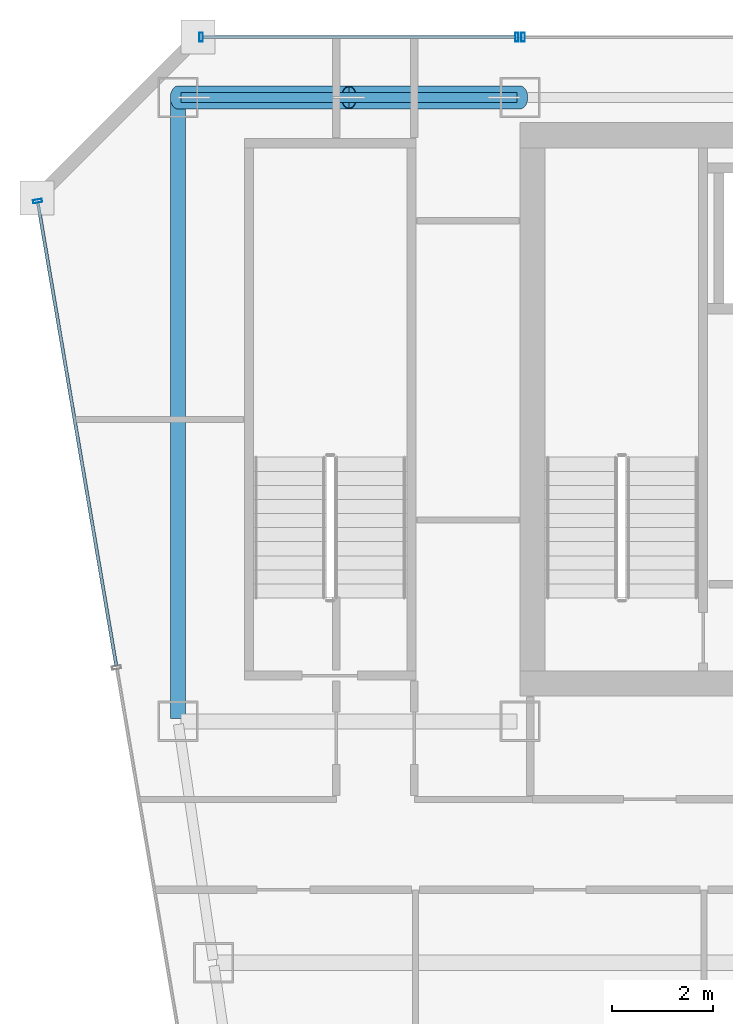
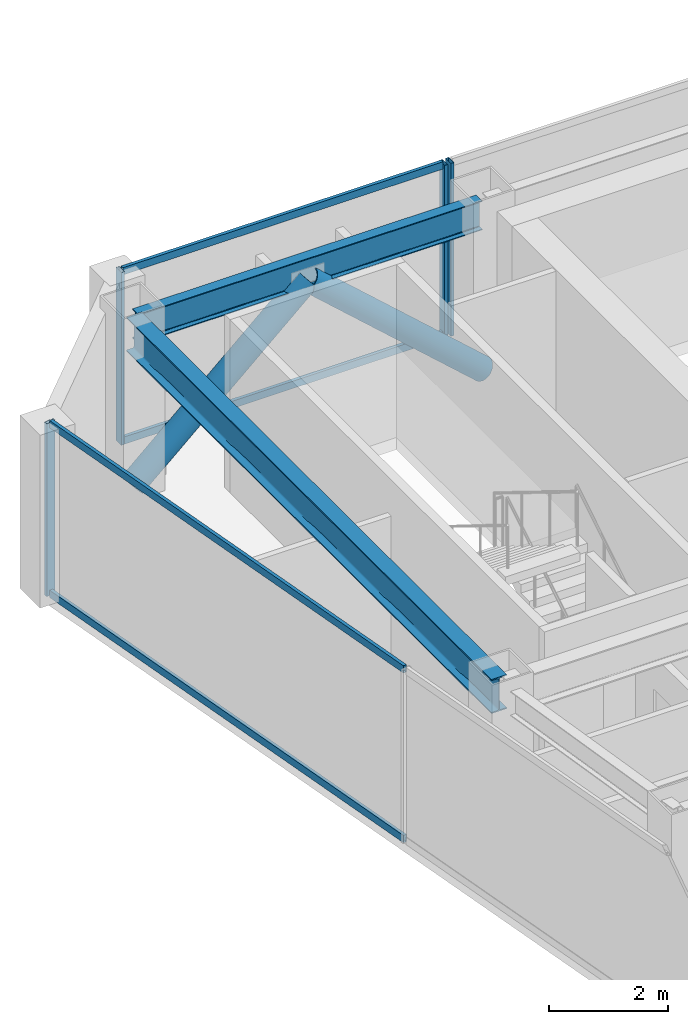
# One storey, part 23 of 36: 10 members, 2 beams, 3 elements without a shape of their own.
"""IFC4 building model written with IfcOpenShell, lengths in metres."""

from ifc_helpers import new_model, si_unit, direction, frame, origin, origin_2d, place, context, subcontext, project, spatial, hollow_rectangle, hollow_circle, i_section, extrude, material, material_profile, profile_set, type_object, element, aggregate, save


model = new_model("IFC4")

# Units and contexts
model_context = context("Model", 3, precision=1e-05, world=origin(), true_north=direction((0.0, 1.0)))
body_context = subcontext(model_context, "Body", "Model", "MODEL_VIEW")
ifc_project = project(units=[si_unit("LENGTHUNIT", "METRE"), si_unit("AREAUNIT", "SQUARE_METRE"), si_unit("VOLUMEUNIT", "CUBIC_METRE"), si_unit("PLANEANGLEUNIT", "RADIAN"), si_unit("MASSUNIT", "GRAM", prefix="KILO")], contexts=[model_context])

# Site, building, storey
site_placement = place(None, origin())
site = spatial("IfcSite", under=ifc_project, at=site_placement, CompositionType="ELEMENT")
building_placement = place(site_placement, origin())
building = spatial("IfcBuilding", under=site, at=building_placement, Name="Saevonmaru Cultural Tower", CompositionType="ELEMENT")
storey_placement = place(building_placement, frame((0.0, 0.0, 209.39990234375)))
storey = spatial("IfcBuildingStorey", under=building, at=storey_placement, Name="L48", CompositionType="ELEMENT", Elevation=209.39990234375)

# Beams
ifc_material_1 = material(Name="Steel SM355", Category="steel")
ifc_material_profile_1 = material_profile(ifc_material_1, i_section(OverallWidth=0.300048828125, OverallDepth=0.699951171875, WebThickness=0.012939453125, FlangeThickness=0.02392578125, FilletRadius=0.02587890625, at=origin_2d()), Name="H-700x300x13x24")
ifc_profile_set_1 = profile_set([ifc_material_profile_1], Name="Steel SM355")
beam_type_1 = type_object("IfcBeamType", Name="BM-G-H700", PredefinedType="BEAM", material=ifc_profile_set_1)
beam_1_placement = place(storey_placement, frame((6.800048828125, 54.739990234375, 3.2001953125), z_axis=(0.0, -1.0, 0.0), x_axis=(1.0, 0.0, 0.0)))
element("IfcBeam", 1, at=beam_1_placement, inside=storey, type_object=beam_type_1, Name="L48 Spine Transverse Girder W", PredefinedType="BEAM", context=body_context, shape_type="SweptSolid", body=[
    extrude(i_section(OverallWidth=0.300048828125, OverallDepth=0.699951171875, WebThickness=0.012939453125, FlangeThickness=0.02392578125, FilletRadius=0.02587890625, at=origin_2d()), origin(), (0.0, 0.0, 1.0), 12.280029296875),
])
ifc_material_profile_2 = material_profile(ifc_material_1, i_section(OverallWidth=0.199951171875, OverallDepth=0.60009765625, WebThickness=0.010986328125, FlangeThickness=0.01708984375, FilletRadius=0.02197265625, at=origin_2d()), Name="H-600x200x11x17")
ifc_profile_set_2 = profile_set([ifc_material_profile_2], Name="Steel SM355")
beam_type_2 = type_object("IfcBeamType", Name="BM-SP-H600", PredefinedType="SPANDREL", material=ifc_profile_set_2)
beam_2_placement = place(storey_placement, frame((6.860107421875, 54.800048828125, 3.25), z_axis=(1.0, 0.0, 0.0), x_axis=(0.0, 1.0, 0.0)))
element("IfcBeam", 2, at=beam_2_placement, inside=storey, type_object=beam_type_2, Name="L48 North Spine Girder 1", PredefinedType="SPANDREL", context=body_context, shape_type="SweptSolid", body=[
    extrude(i_section(OverallWidth=0.199951171875, OverallDepth=0.60009765625, WebThickness=0.010986328125, FlangeThickness=0.01708984375, FilletRadius=0.02197265625, at=origin_2d()), origin(), (0.0, 0.0, 1.0), 6.679931640625),
])

# Members
ifc_material_2 = material(Name="Steel SM420", Category="steel")
ifc_material_profile_3 = material_profile(ifc_material_2, hollow_circle(Radius=0.228515625, WallThickness=0.02001953125, at=origin_2d()), Name="CHS-457.2x20")
ifc_profile_set_3 = profile_set([ifc_material_profile_3], Name="Steel SM420")
member_type_1 = type_object("IfcMemberType", Name="MB-PBR-CHS457", PredefinedType="BRACE", material=ifc_profile_set_3)
for number, where, z_axis, x_axis, name in (
    (3, (6.800048828125, 54.800048828125, 0.02001953125), (0.744366945704, 0.0, 0.667770806597), (0.0, 1.0, 0.0), "L48 Perimeter Braced-Tube Diagonal WN1"),
    (4, (13.60009765625, 54.800048828125, 0.02001953125), (-0.744390779303, 0.0, 0.66774423823), (0.0, -1.0, 0.0), "L48 Perimeter Braced-Tube Diagonal WN2"),
):
    element("IfcMember", number, at=place(storey_placement, frame(where, z_axis=z_axis, x_axis=x_axis)), inside=storey, type_object=member_type_1, Name=name, PredefinedType="BRACE", context=body_context, shape_type="SweptSolid", body=[
        extrude(hollow_circle(Radius=0.228515625, WallThickness=0.02001953125, at=origin_2d()), origin(), (0.0, 0.0, 1.0), 4.567626953125),
    ])

# Curtain wall, member
ifc_material_3 = material(Name="Satin Bronze Anodised Aluminium", Category="aluminium")
curtain_wall_type = type_object("IfcCurtainWallType", Name="CW-TYP-B", PredefinedType="NOTDEFINED", material=ifc_material_3)
curtain_wall_1_placement = place(storey_placement, origin())
curtain_wall_1 = element("IfcCurtainWall", 5, at=curtain_wall_1_placement, inside=storey, type_object=curtain_wall_type, Name="L48 North Spine Unitised Curtain Wall E10B", PredefinedType="NOTDEFINED")
ifc_material_profile_4 = material_profile(ifc_material_3, hollow_rectangle(XDim=0.06494140625, YDim=0.179931640625, WallThickness=0.00390625, at=origin_2d()), Name="ALU-MULL-180x65x4")
ifc_profile_set_4 = profile_set([ifc_material_profile_4], Name="Satin Bronze Anodised Aluminium")
member_type_2 = type_object("IfcMemberType", Name="ML-CW-180x65", PredefinedType="MULLION", material=ifc_profile_set_4)
member_1_placement = place(storey_placement, frame((13.659912109375, 56.0, 0.0), z_axis=(0.0, 0.0, 1.0), x_axis=(-1.0, 0.0, 0.0)))
member_1 = element("IfcMember", 6, at=member_1_placement, type_object=member_type_2, Name="CW-TW-L48-E10B mullion 4", PredefinedType="MULLION", context=body_context, shape_type="SweptSolid", body=[
    extrude(hollow_rectangle(XDim=0.06494140625, YDim=0.179931640625, WallThickness=0.00390625, at=origin_2d()), origin(), (0.0, 0.0, 1.0), 3.550048828125),
])
aggregate(curtain_wall_1, [member_1])

# Curtain wall, members
curtain_wall_2_placement = place(storey_placement, origin())
curtain_wall_2 = element("IfcCurtainWall", 7, at=curtain_wall_2_placement, inside=storey, type_object=curtain_wall_type, Name="L48 West Braced Bay Spandrel Curtain Wall E10C", PredefinedType="NOTDEFINED")
member_2_placement = place(storey_placement, frame((13.5400390625, 56.0, 0.0), z_axis=(0.0, 0.0, 1.0), x_axis=(-1.0, 0.0, 0.0)))
member_2 = element("IfcMember", 8, at=member_2_placement, type_object=member_type_2, Name="CW-TW-L48-E10C mullion 1", PredefinedType="MULLION", context=body_context, shape_type="SweptSolid", body=[
    extrude(hollow_rectangle(XDim=0.06494140625, YDim=0.179931640625, WallThickness=0.00390625, at=origin_2d()), origin(), (0.0, 0.0, 1.0), 3.550048828125),
])
member_3_placement = place(storey_placement, frame((7.260009765625, 56.0, 0.0), z_axis=(0.0, 0.0, 1.0), x_axis=(-1.0, 0.0, 0.0)))
member_3 = element("IfcMember", 9, at=member_3_placement, type_object=member_type_2, Name="CW-TW-L48-E10C mullion 2", PredefinedType="MULLION", context=body_context, shape_type="SweptSolid", body=[
    extrude(hollow_rectangle(XDim=0.06494140625, YDim=0.179931640625, WallThickness=0.00390625, at=origin_2d()), origin(), (0.0, 0.0, 1.0), 3.550048828125),
])

# Curtain wall, member
curtain_wall_3_placement = place(storey_placement, origin())
curtain_wall_3 = element("IfcCurtainWall", 10, at=curtain_wall_3_placement, inside=storey, type_object=curtain_wall_type, Name="L48 Unitised Curtain Wall E12", PredefinedType="NOTDEFINED")
member_4_placement = place(storey_placement, frame((4.010009765625, 52.74072265625, 0.0), z_axis=(0.0, 0.0, 1.0), x_axis=(0.16692169721, -0.985970155228, 0.0)))
member_4 = element("IfcMember", 11, at=member_4_placement, type_object=member_type_2, Name="CW-TW-L48-E12 mullion 1", PredefinedType="MULLION", context=body_context, shape_type="SweptSolid", body=[
    extrude(hollow_rectangle(XDim=0.06494140625, YDim=0.179931640625, WallThickness=0.00390625, at=origin_2d()), origin(), (0.0, 0.0, 1.0), 3.550048828125),
])

# Member
ifc_material_profile_5 = material_profile(ifc_material_3, hollow_rectangle(XDim=0.06494140625, YDim=0.14990234375, WallThickness=0.00390625, at=origin_2d()), Name="ALU-TRAN-150x65x4")
ifc_profile_set_5 = profile_set([ifc_material_profile_5], Name="Satin Bronze Anodised Aluminium")
member_type_3 = type_object("IfcMemberType", Name="TR-CW-150x65", PredefinedType="USERDEFINED", material=ifc_profile_set_5)
member_5_placement = place(storey_placement, frame((13.507568359375, 56.0, 0.03271484375), z_axis=(-1.0, 0.0, 0.0), x_axis=(0.0, -1.0, 0.0)))
member_5 = element("IfcMember", 12, at=member_5_placement, type_object=member_type_3, Name="CW-TW-L48-E10C transom 1.1", ObjectType="TRANSOM", PredefinedType="USERDEFINED", context=body_context, shape_type="SweptSolid", body=[
    extrude(hollow_rectangle(XDim=0.06494140625, YDim=0.14990234375, WallThickness=0.00390625, at=origin_2d()), origin(), (0.0, 0.0, 1.0), 6.215087890625),
])

member_6_placement = place(storey_placement, frame((13.507568359375, 56.0, 3.517578125), z_axis=(-1.0, 0.0, 0.0), x_axis=(0.0, -1.0, 0.0)))
member_6 = element("IfcMember", 13, at=member_6_placement, type_object=member_type_3, Name="CW-TW-L48-E10C transom 1.2", ObjectType="TRANSOM", PredefinedType="USERDEFINED", context=body_context, shape_type="SweptSolid", body=[
    extrude(hollow_rectangle(XDim=0.06494140625, YDim=0.14990234375, WallThickness=0.00390625, at=origin_2d()), origin(), (0.0, 0.0, 1.0), 6.215087890625),
])

aggregate(curtain_wall_2, [member_2, member_3, member_5, member_6])

member_7_placement = place(storey_placement, frame((4.015380859375, 52.708740234375, 0.03271484375), z_axis=(0.166921263871, -0.985970228591, 0.0), x_axis=(0.985970228591, 0.166921263871, 0.0)))
member_7 = element("IfcMember", 14, at=member_7_placement, type_object=member_type_3, Name="CW-TW-L48-E12 transom 1.1", ObjectType="TRANSOM", PredefinedType="USERDEFINED", context=body_context, shape_type="SweptSolid", body=[
    extrude(hollow_rectangle(XDim=0.06494140625, YDim=0.14990234375, WallThickness=0.00390625, at=origin_2d()), origin(), (0.0, 0.0, 1.0), 9.33740234375),
])

member_8_placement = place(storey_placement, frame((4.015380859375, 52.708740234375, 3.517578125), z_axis=(0.166921263871, -0.985970228591, 0.0), x_axis=(0.985970228591, 0.166921263871, 0.0)))
member_8 = element("IfcMember", 15, at=member_8_placement, type_object=member_type_3, Name="CW-TW-L48-E12 transom 1.2", ObjectType="TRANSOM", PredefinedType="USERDEFINED", context=body_context, shape_type="SweptSolid", body=[
    extrude(hollow_rectangle(XDim=0.06494140625, YDim=0.14990234375, WallThickness=0.00390625, at=origin_2d()), origin(), (0.0, 0.0, 1.0), 9.33740234375),
])

aggregate(curtain_wall_3, [member_4, member_7, member_8])

save(model, "model.ifc")
